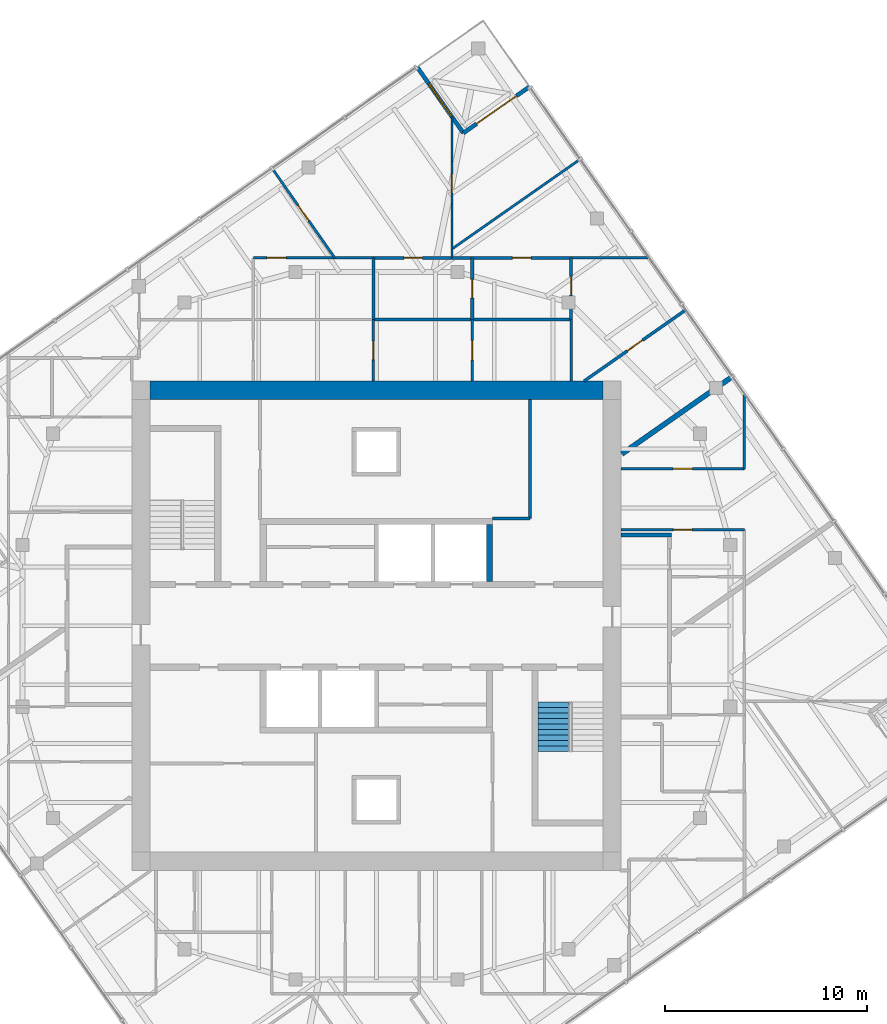
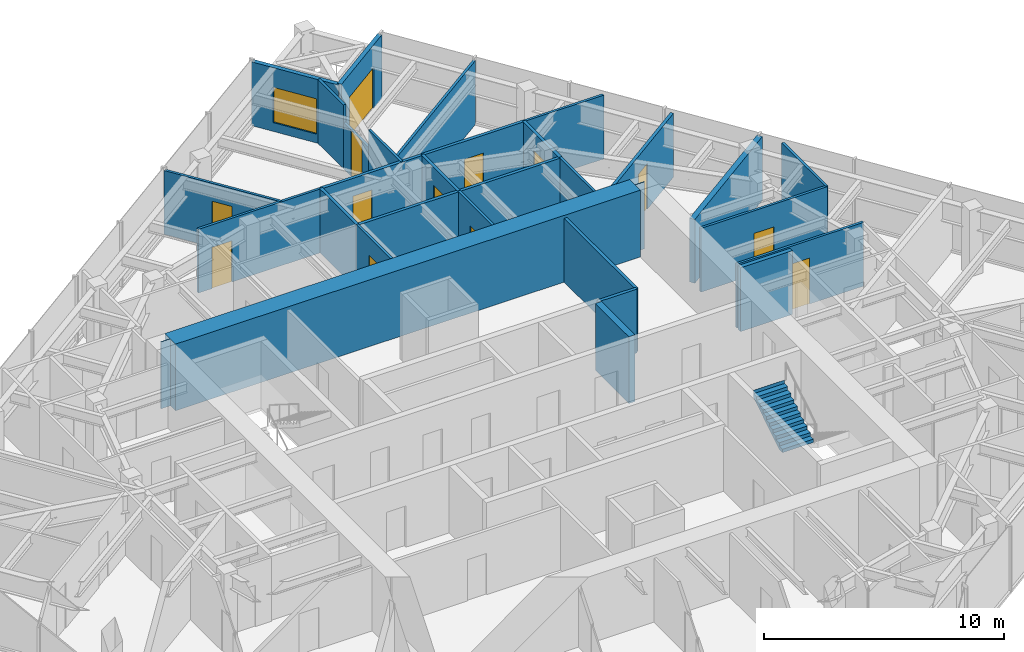
# One storey, part 11 of 13: 27 walls, 13 doors, 1 stair flight, 1 window, 14 openings, 1 element without a shape of its own.
"""IFC4 building model written with IfcOpenShell, lengths in metres."""

from ifc_helpers import new_model, si_unit, direction, frame, frame_2d, origin, place, context, subcontext, project, spatial, polyline, rectangle, outline, extrude, material, layer, layer_set, type_object, element, fill, aggregate, save


model = new_model("IFC4")

# Units and contexts
model_context = context("Model", 3, precision=1e-05, world=origin(), true_north=direction((0.0, 1.0)))
body_context = subcontext(model_context, "Body", "Model", "MODEL_VIEW")
ifc_project = project(units=[si_unit("LENGTHUNIT", "METRE"), si_unit("AREAUNIT", "SQUARE_METRE"), si_unit("VOLUMEUNIT", "CUBIC_METRE"), si_unit("PLANEANGLEUNIT", "RADIAN"), si_unit("MASSUNIT", "GRAM", prefix="KILO")], contexts=[model_context])

# Site, building, storey
site_placement = place(None, origin())
site = spatial("IfcSite", under=ifc_project, at=site_placement, CompositionType="ELEMENT")
building_placement = place(site_placement, origin())
building = spatial("IfcBuilding", under=site, at=building_placement, Name="Torsade Residences", CompositionType="ELEMENT")
storey_placement = place(building_placement, frame((0.0, 0.0, 260.800048828125)))
storey = spatial("IfcBuildingStorey", under=building, at=storey_placement, Name="L72", CompositionType="ELEMENT", Elevation=260.800048828125)

# Walls
ifc_material_1 = material(Name="Concrete 80 MPa", Category="concrete")
ifc_layer_1 = layer(ifc_material_1, 0.300048828125)
ifc_layer_set_1 = layer_set([ifc_layer_1], Name="Concrete 80 MPa")
wall_type_1 = type_object("IfcWallType", Name="CORE INTERNAL WALL 300", PredefinedType="SHEAR", material=ifc_layer_set_1)
wall_1_placement = place(storey_placement, frame((45.60009765625, 32.199951171875, 0.0), z_axis=(0.0, 0.0, 1.0), x_axis=(0.0, 1.0, 0.0)))
element("IfcWall", 1, at=wall_1_placement, inside=storey, type_object=wall_type_1, Name="Core wall DN4 L72", PredefinedType="SHEAR", context=body_context, shape_type="SweptSolid", body=[
    extrude(rectangle(XDim=2.800048828125, YDim=0.300048828125, at=frame_2d((1.39990234375, 0.0))), origin(), (0.0, 0.0, 1.0), 3.39990234375),
])
ifc_material_2 = material(Name="Concrete 80 MPa", Category="concrete")
ifc_layer_2 = layer(ifc_material_2, 0.89990234375)
ifc_layer_set_2 = layer_set([ifc_layer_2], Name="Concrete 80 MPa")
wall_type_2 = type_object("IfcWallType", Name="CORE WALL 900", PredefinedType="SHEAR", material=ifc_layer_set_2)
wall_2_placement = place(storey_placement, frame((28.800048828125, 41.64990234375, 0.0), z_axis=(0.0, 0.0, 1.0), x_axis=(1.0, 0.0, 0.0)))
element("IfcWall", 2, at=wall_2_placement, inside=storey, type_object=wall_type_2, Name="Core wall N L72", PredefinedType="SHEAR", context=body_context, shape_type="SweptSolid", body=[
    extrude(outline(polyline([(0.0, -0.449951171875), (22.39990234375, -0.449951171875), (22.39990234375, -0.02490234375), (22.849853515625, -0.02490234375), (22.849853515625, 0.02490234375), (22.39990234375, 0.02490234375), (22.39990234375, 0.449951171875), (0.0, 0.449951171875), (0.0, 0.02490234375), (-0.449951171875, 0.02490234375), (-0.449951171875, -0.02490234375), (0.0, -0.02490234375), (0.0, -0.449951171875)])), origin(), (0.0, 0.0, 1.0), 3.39990234375),
])
ifc_material_3 = material(Name="Plasterboard on steel stud", Category="steel")
ifc_layer_3 = layer(ifc_material_3, 0.199951171875)
ifc_layer_set_3 = layer_set([ifc_layer_3], Name="Plasterboard on steel stud")
wall_type_3 = type_object("IfcWallType", Name="CORRIDOR WALL 200", PredefinedType="PARTITIONING", material=ifc_layer_set_3)
wall_3_placement = place(storey_placement, frame((52.10009765625, 34.5, 0.0), z_axis=(0.0, 0.0, 1.0), x_axis=(1.0, 0.0, 0.0)))
element("IfcWall", 3, at=wall_3_placement, inside=storey, type_object=wall_type_3, Name="Corridor wall L72", PredefinedType="PARTITIONING", context=body_context, shape_type="SweptSolid", body=[
    extrude(rectangle(XDim=2.5, YDim=0.199951171875, at=frame_2d((1.25, 0.0))), origin(), (0.0, 0.0, 1.0), 3.25),
])

# Wall, opening, door
ifc_material_4 = material(Name="Plasterboard on steel stud", Category="steel")
ifc_layer_4 = layer(ifc_material_4, 0.1201171875)
ifc_layer_set_4 = layer_set([ifc_layer_4], Name="Plasterboard on steel stud")
wall_type_4 = type_object("IfcWallType", Name="PARTITION 120", PredefinedType="PARTITIONING", material=ifc_layer_set_4)
wall_4_placement = place(storey_placement, frame((52.10009765625, 34.760009765625, 0.0), z_axis=(0.0, 0.0, 1.0), x_axis=(1.0, 0.0, 0.0)))
wall_4 = element("IfcWall", 4, at=wall_4_placement, inside=storey, type_object=wall_type_4, Name="Partition L72", PredefinedType="PARTITIONING", context=body_context, shape_type="SweptSolid", body=[
    extrude(rectangle(XDim=6.099853515625, YDim=0.1201171875, at=frame_2d((3.0498046875, 0.0))), origin(), (0.0, 0.0, 1.0), 3.25),
])
opening_1_placement = place(wall_4_placement, frame((2.590087890625, 0.0, 0.0)))
opening_1 = element("IfcOpeningElement", 5, at=opening_1_placement, cuts=wall_4, Name="Opening D02", PredefinedType="OPENING", context=body_context, shape_type="SweptSolid", body=[
    extrude(rectangle(XDim=0.919921875, YDim=2.340087890625, at=frame_2d((0.4599609375, 1.169921875))), frame((0.0, 0.070068359375, 0.0), z_axis=(0.0, -1.0, 0.0), x_axis=(1.0, 0.0, 0.0)), (0.0, 0.0, 1.0), 0.14013671875),
])
ifc_material_5 = material(Name="Hollow-core timber door", Category="wood")
door_type_1 = type_object("IfcDoorType", Name="INTERNAL DOOR 920x2340", OperationType="NOTDEFINED", PredefinedType="DOOR", material=ifc_material_5)
door_1_placement = place(opening_1_placement, origin())
door_1 = element("IfcDoor", 6, at=door_1_placement, inside=storey, type_object=door_type_1, Name="Door Kitchen and dining to Studio living and sleeping", OperationType="SINGLE_SWING_LEFT", OverallHeight=2.340087890625, OverallWidth=0.919921875, PredefinedType="DOOR", context=body_context, shape_type="SweptSolid", body=[
    extrude(rectangle(XDim=0.919921875, YDim=2.340087890625, at=frame_2d((0.4599609375, 1.169921875))), frame((0.0, 0.02490234375, 0.0), z_axis=(0.0, -1.0, 0.0), x_axis=(1.0, 0.0, 0.0)), (0.0, 0.0, 1.0), 0.050048828125),
])
fill(opening_1, door_1)

# Wall
wall_5_placement = place(storey_placement, frame((58.199951171875, 41.422119140625, 0.0), z_axis=(0.0, 0.0, 1.0), x_axis=(0.0, -1.0, 0.0)))
element("IfcWall", 7, at=wall_5_placement, inside=storey, type_object=wall_type_4, Name="Partition L72", PredefinedType="PARTITIONING", context=body_context, shape_type="SweptSolid", body=[
    extrude(rectangle(XDim=3.65380859375, YDim=0.1201171875, at=frame_2d((1.826904296875, 0.0))), origin(), (0.0, 0.0, 1.0), 3.25),
])

# Wall, opening, door
wall_6_placement = place(storey_placement, frame((58.199951171875, 37.768310546875, 0.0), z_axis=(0.0, 0.0, 1.0), x_axis=(-1.0, 0.0, 0.0)))
wall_6 = element("IfcWall", 8, at=wall_6_placement, inside=storey, type_object=wall_type_4, Name="Partition L72", PredefinedType="PARTITIONING", context=body_context, shape_type="SweptSolid", body=[
    extrude(rectangle(XDim=6.099853515625, YDim=0.1201171875, at=frame_2d((3.0498046875, 0.0))), origin(), (0.0, 0.0, 1.0), 3.25),
])
opening_2_placement = place(wall_6_placement, frame((2.570068359375, 0.0, 0.0)))
opening_2 = element("IfcOpeningElement", 9, at=opening_2_placement, cuts=wall_6, Name="Opening D05", PredefinedType="OPENING", context=body_context, shape_type="SweptSolid", body=[
    extrude(rectangle(XDim=0.9599609375, YDim=2.10009765625, at=frame_2d((0.47998046875, 1.050048828125))), frame((0.0, 0.070068359375, 0.0), z_axis=(0.0, -1.0, 0.0), x_axis=(1.0, 0.0, 0.0)), (0.0, 0.0, 1.0), 0.14013671875),
])
ifc_material_6 = material(Name="Hollow-core timber door in a steel cavity frame", Category="steel")
door_type_2 = type_object("IfcDoorType", Name="BATHROOM CAVITY SLIDING DOOR 960", OperationType="SLIDING_TO_LEFT", PredefinedType="DOOR", material=ifc_material_6)
door_2_placement = place(opening_2_placement, origin())
door_2 = element("IfcDoor", 10, at=door_2_placement, inside=storey, type_object=door_type_2, Name="Door Studio living and sleeping to Ensuite", OperationType="SLIDING_TO_LEFT", OverallHeight=2.10009765625, OverallWidth=0.9599609375, PredefinedType="DOOR", context=body_context, shape_type="SweptSolid", body=[
    extrude(rectangle(XDim=0.9599609375, YDim=2.10009765625, at=frame_2d((0.47998046875, 1.050048828125))), frame((0.0, 0.02490234375, 0.0), z_axis=(0.0, -1.0, 0.0), x_axis=(1.0, 0.0, 0.0)), (0.0, 0.0, 1.0), 0.050048828125),
])
fill(opening_2, door_2)

wall_7_placement = place(storey_placement, frame((33.906982421875, 48.199951171875, 0.0), z_axis=(0.0, 0.0, 1.0), x_axis=(1.0, 0.0, 0.0)))
wall_7 = element("IfcWall", 11, at=wall_7_placement, inside=storey, type_object=wall_type_4, Name="Partition L72", PredefinedType="PARTITIONING", context=body_context, shape_type="SweptSolid", body=[
    extrude(rectangle(XDim=5.93896484375, YDim=0.1201171875, at=frame_2d((2.969482421875, 0.0))), origin(), (0.0, 0.0, 1.0), 3.25),
])
opening_3_placement = place(wall_7_placement, frame((0.666015625, 0.0, 0.0)))
opening_3 = element("IfcOpeningElement", 12, at=opening_3_placement, cuts=wall_7, Name="Opening D05", PredefinedType="OPENING", context=body_context, shape_type="SweptSolid", body=[
    extrude(rectangle(XDim=0.9599609375, YDim=2.10009765625, at=frame_2d((0.47998046875, 1.050048828125))), frame((0.0, 0.070068359375, 0.0), z_axis=(0.0, -1.0, 0.0), x_axis=(1.0, 0.0, 0.0)), (0.0, 0.0, 1.0), 0.14013671875),
])
door_3_placement = place(opening_3_placement, origin())
door_3 = element("IfcDoor", 13, at=door_3_placement, inside=storey, type_object=door_type_2, Name="Door Family room to Ensuite", OperationType="SLIDING_TO_LEFT", OverallHeight=2.10009765625, OverallWidth=0.9599609375, PredefinedType="DOOR", context=body_context, shape_type="SweptSolid", body=[
    extrude(rectangle(XDim=0.9599609375, YDim=2.10009765625, at=frame_2d((0.47998046875, 1.050048828125))), frame((0.0, 0.02490234375, 0.0), z_axis=(0.0, -1.0, 0.0), x_axis=(1.0, 0.0, 0.0)), (0.0, 0.0, 1.0), 0.050048828125),
])
fill(opening_3, door_3)

wall_8_placement = place(storey_placement, frame((39.845947265625, 45.14990234375, 0.0), z_axis=(0.0, 0.0, 1.0), x_axis=(0.0, -1.0, 0.0)))
wall_8 = element("IfcWall", 14, at=wall_8_placement, inside=storey, type_object=wall_type_4, Name="Partition L72", PredefinedType="PARTITIONING", context=body_context, shape_type="SweptSolid", body=[
    extrude(rectangle(XDim=3.0498046875, YDim=0.1201171875, at=frame_2d((1.52490234375, 0.0))), origin(), (0.0, 0.0, 1.0), 3.25),
])
opening_4_placement = place(wall_8_placement, frame((1.06494140625, 0.0, 0.0)))
opening_4 = element("IfcOpeningElement", 15, at=opening_4_placement, cuts=wall_8, Name="Opening D02", PredefinedType="OPENING", context=body_context, shape_type="SweptSolid", body=[
    extrude(rectangle(XDim=0.919921875, YDim=2.340087890625, at=frame_2d((0.4599609375, 1.169921875))), frame((0.0, 0.070068359375, 0.0), z_axis=(0.0, -1.0, 0.0), x_axis=(1.0, 0.0, 0.0)), (0.0, 0.0, 1.0), 0.14013671875),
])
door_4_placement = place(opening_4_placement, origin())
door_4 = element("IfcDoor", 16, at=door_4_placement, inside=storey, type_object=door_type_1, Name="Door Dressing room 2 to Walk-in robe", OperationType="SINGLE_SWING_LEFT", OverallHeight=2.340087890625, OverallWidth=0.919921875, PredefinedType="DOOR", context=body_context, shape_type="SweptSolid", body=[
    extrude(rectangle(XDim=0.919921875, YDim=2.340087890625, at=frame_2d((0.4599609375, 1.169921875))), frame((0.0, 0.02490234375, 0.0), z_axis=(0.0, -1.0, 0.0), x_axis=(1.0, 0.0, 0.0)), (0.0, 0.0, 1.0), 0.050048828125),
])
fill(opening_4, door_4)

wall_9_placement = place(storey_placement, frame((44.73779296875, 42.10009765625, 0.0), z_axis=(0.0, 0.0, 1.0), x_axis=(0.0, 1.0, 0.0)))
wall_9 = element("IfcWall", 17, at=wall_9_placement, inside=storey, type_object=wall_type_4, Name="Partition L72", PredefinedType="PARTITIONING", context=body_context, shape_type="SweptSolid", body=[
    extrude(rectangle(XDim=3.0498046875, YDim=0.1201171875, at=frame_2d((1.52490234375, 0.0))), origin(), (0.0, 0.0, 1.0), 3.25),
])
opening_5_placement = place(wall_9_placement, frame((1.044921875, 0.0, 0.0)))
opening_5 = element("IfcOpeningElement", 18, at=opening_5_placement, cuts=wall_9, Name="Opening D05", PredefinedType="OPENING", context=body_context, shape_type="SweptSolid", body=[
    extrude(rectangle(XDim=0.9599609375, YDim=2.10009765625, at=frame_2d((0.47998046875, 1.050048828125))), frame((0.0, 0.070068359375, 0.0), z_axis=(0.0, -1.0, 0.0), x_axis=(1.0, 0.0, 0.0)), (0.0, 0.0, 1.0), 0.14013671875),
])
door_5_placement = place(opening_5_placement, origin())
door_5 = element("IfcDoor", 19, at=door_5_placement, inside=storey, type_object=door_type_2, Name="Door Walk-in robe to Laundry", OperationType="SLIDING_TO_LEFT", OverallHeight=2.10009765625, OverallWidth=0.9599609375, PredefinedType="DOOR", context=body_context, shape_type="SweptSolid", body=[
    extrude(rectangle(XDim=0.9599609375, YDim=2.10009765625, at=frame_2d((0.47998046875, 1.050048828125))), frame((0.0, 0.02490234375, 0.0), z_axis=(0.0, -1.0, 0.0), x_axis=(1.0, 0.0, 0.0)), (0.0, 0.0, 1.0), 0.050048828125),
])
fill(opening_5, door_5)

# Walls
wall_10_placement = place(storey_placement, frame((49.6298828125, 45.14990234375, 0.0), z_axis=(0.0, 0.0, 1.0), x_axis=(0.0, -1.0, 0.0)))
element("IfcWall", 20, at=wall_10_placement, inside=storey, type_object=wall_type_4, Name="Partition L72", PredefinedType="PARTITIONING", context=body_context, shape_type="SweptSolid", body=[
    extrude(rectangle(XDim=3.0498046875, YDim=0.1201171875, at=frame_2d((1.52490234375, 0.0))), origin(), (0.0, 0.0, 1.0), 3.25),
])
wall_11_placement = place(storey_placement, frame((49.6298828125, 48.199951171875, 0.0), z_axis=(0.0, 0.0, 1.0), x_axis=(1.0, 0.0, 0.0)))
element("IfcWall", 21, at=wall_11_placement, inside=storey, type_object=wall_type_4, Name="Partition L72", PredefinedType="PARTITIONING", context=body_context, shape_type="SweptSolid", body=[
    extrude(rectangle(XDim=3.82421875, YDim=0.1201171875, at=frame_2d((1.912109375, 0.0))), origin(), (0.0, 0.0, 1.0), 3.25),
])
wall_12_placement = place(storey_placement, frame((43.735107421875, 55.106201171875, 0.0), z_axis=(0.0, 0.0, 1.0), x_axis=(0.0, -1.0, 0.0)))
element("IfcWall", 22, at=wall_12_placement, inside=storey, type_object=wall_type_4, Name="Partition L72", PredefinedType="PARTITIONING", context=body_context, shape_type="SweptSolid", body=[
    extrude(rectangle(XDim=2.144287109375, YDim=0.1201171875, at=frame_2d((1.072265625, 0.0))), origin(), (0.0, 0.0, 1.0), 3.25),
])

# Wall, opening, door
wall_13_placement = place(storey_placement, frame((43.735107421875, 52.9619140625, 0.0), z_axis=(0.0, 0.0, 1.0), x_axis=(0.0, -1.0, 0.0)))
wall_13 = element("IfcWall", 23, at=wall_13_placement, inside=storey, type_object=wall_type_4, Name="Partition L72", PredefinedType="PARTITIONING", context=body_context, shape_type="SweptSolid", body=[
    extrude(rectangle(XDim=2.092041015625, YDim=0.1201171875, at=frame_2d((1.0458984375, 0.0))), origin(), (0.0, 0.0, 1.0), 2.349853515625),
])
opening_6_placement = place(wall_13_placement, frame((0.62548828125, 0.0, 0.0)))
opening_6 = element("IfcOpeningElement", 24, at=opening_6_placement, cuts=wall_13, Name="Opening D02", PredefinedType="OPENING", context=body_context, shape_type="SweptSolid", body=[
    extrude(rectangle(XDim=0.919921875, YDim=2.340087890625, at=frame_2d((0.4599609375, 1.169921875))), frame((0.0, 0.070068359375, 0.0), z_axis=(0.0, -1.0, 0.0), x_axis=(1.0, 0.0, 0.0)), (0.0, 0.0, 1.0), 0.14013671875),
])
door_6_placement = place(opening_6_placement, origin())
door_6 = element("IfcDoor", 25, at=door_6_placement, inside=storey, type_object=door_type_1, Name="Door Living room to Bedroom 3", OperationType="SINGLE_SWING_RIGHT", OverallHeight=2.340087890625, OverallWidth=0.919921875, PredefinedType="DOOR", context=body_context, shape_type="SweptSolid", body=[
    extrude(rectangle(XDim=0.919921875, YDim=2.340087890625, at=frame_2d((0.4599609375, 1.169921875))), frame((0.0, 0.02490234375, 0.0), z_axis=(0.0, -1.0, 0.0), x_axis=(1.0, 0.0, 0.0)), (0.0, 0.0, 1.0), 0.050048828125),
])
fill(opening_6, door_6)

# Wall
wall_14_placement = place(storey_placement, frame((43.735107421875, 50.869873046875, 0.0), z_axis=(0.0, 0.0, 1.0), x_axis=(0.0, -1.0, 0.0)))
element("IfcWall", 26, at=wall_14_placement, inside=storey, type_object=wall_type_4, Name="Partition L72", PredefinedType="PARTITIONING", context=body_context, shape_type="SweptSolid", body=[
    extrude(rectangle(XDim=2.669921875, YDim=0.1201171875, at=frame_2d((1.3349609375, 0.0))), origin(), (0.0, 0.0, 1.0), 3.25),
])

# Wall, opening, door
wall_15_placement = place(storey_placement, frame((37.93798828125, 48.199951171875, 0.0), z_axis=(0.0, 0.0, 1.0), x_axis=(-0.573560001964, 0.819163551525, 0.0)))
wall_15 = element("IfcWall", 27, at=wall_15_placement, inside=storey, type_object=wall_type_4, Name="Partition L72", PredefinedType="PARTITIONING", context=body_context, shape_type="SweptSolid", body=[
    extrude(rectangle(XDim=5.368896484375, YDim=0.1201171875, at=frame_2d((2.6845703125, 0.0))), origin(), (0.0, 0.0, 1.0), 3.25),
])
opening_7_placement = place(wall_15_placement, frame((2.244384765625, 0.0, 0.0)))
opening_7 = element("IfcOpeningElement", 28, at=opening_7_placement, cuts=wall_15, Name="Opening D02", PredefinedType="OPENING", context=body_context, shape_type="SweptSolid", body=[
    extrude(rectangle(XDim=0.919921875, YDim=2.340087890625, at=frame_2d((0.4599609375, 1.169921875))), frame((0.0, 0.070068359375, 0.0), z_axis=(0.0, -1.0, 0.0), x_axis=(1.0, 0.0, 0.0)), (0.0, 0.0, 1.0), 0.14013671875),
])
door_7_placement = place(opening_7_placement, origin())
door_7 = element("IfcDoor", 29, at=door_7_placement, inside=storey, type_object=door_type_1, Name="Door Family room to Living room", OperationType="SINGLE_SWING_LEFT", OverallHeight=2.340087890625, OverallWidth=0.919921875, PredefinedType="DOOR", context=body_context, shape_type="SweptSolid", body=[
    extrude(rectangle(XDim=0.919921875, YDim=2.340087890625, at=frame_2d((0.4599609375, 1.169921875))), frame((0.0, 0.02490234375, 0.0), z_axis=(0.0, -1.0, 0.0), x_axis=(1.0, 0.0, 0.0)), (0.0, 0.0, 1.0), 0.050048828125),
])
fill(opening_7, door_7)

# Walls
wall_16_placement = place(storey_placement, frame((50.05078125, 53.060302734375, 0.0), z_axis=(0.0, 0.0, 1.0), x_axis=(-0.819161994693, -0.573562225439, 0.0)))
element("IfcWall", 30, at=wall_16_placement, inside=storey, type_object=wall_type_4, Name="Partition L72", PredefinedType="PARTITIONING", context=body_context, shape_type="SweptSolid", body=[
    extrude(rectangle(XDim=7.7099609375, YDim=0.1201171875, at=frame_2d((3.85498046875, 0.0))), origin(), (0.0, 0.0, 1.0), 3.25),
])
ifc_material_7 = material(Name="Masonry-lined stud party wall", Category="masonry")
ifc_layer_5 = layer(ifc_material_7, 0.25)
ifc_layer_set_5 = layer_set([ifc_layer_5], Name="Masonry-lined stud party wall")
wall_type_5 = type_object("IfcWallType", Name="PARTY WALL 250", PredefinedType="PARTITIONING", material=ifc_layer_set_5)
wall_17_placement = place(storey_placement, frame((57.61181640625, 42.331787109375, 0.0), z_axis=(0.0, 0.0, 1.0), x_axis=(-0.819161528122, -0.573562891796, 0.0)))
element("IfcWall", 31, at=wall_17_placement, inside=storey, type_object=wall_type_5, Name="Party wall L72", PredefinedType="PARTITIONING", context=body_context, shape_type="SweptSolid", body=[
    extrude(rectangle(XDim=6.68115234375, YDim=0.25, at=frame_2d((3.340576171875, 0.0))), origin(), (0.0, 0.0, 1.0), 3.25),
])
ifc_material_8 = material(Name="Reinforced blockwork", Category="masonry")
ifc_layer_6 = layer(ifc_material_8, 0.14990234375)
ifc_layer_set_6 = layer_set([ifc_layer_6], Name="Reinforced blockwork")
wall_type_6 = type_object("IfcWallType", Name="SERVICE ROOM WALL 150", PredefinedType="SOLIDWALL", material=ifc_layer_set_6)
wall_18_placement = place(storey_placement, frame((47.60009765625, 41.199951171875, 0.0), z_axis=(0.0, 0.0, 1.0), x_axis=(0.0, -1.0, 0.0)))
element("IfcWall", 32, at=wall_18_placement, inside=storey, type_object=wall_type_6, Name="Service room wall L72", PredefinedType="SOLIDWALL", context=body_context, shape_type="SweptSolid", body=[
    extrude(rectangle(XDim=5.89990234375, YDim=0.14990234375, at=frame_2d((2.949951171875, 0.0))), origin(), (0.0, 0.0, 1.0), 3.25),
])
wall_19_placement = place(storey_placement, frame((47.60009765625, 35.300048828125, 0.0), z_axis=(0.0, 0.0, 1.0), x_axis=(-1.0, 0.0, 0.0)))
element("IfcWall", 33, at=wall_19_placement, inside=storey, type_object=wall_type_6, Name="Service room wall L72", PredefinedType="SOLIDWALL", context=body_context, shape_type="SweptSolid", body=[
    extrude(rectangle(XDim=1.85009765625, YDim=0.14990234375, at=frame_2d((0.925048828125, 0.0))), origin(), (0.0, 0.0, 1.0), 3.25),
])
wall_20_placement = place(storey_placement, frame((39.845947265625, 48.199951171875, 0.0), z_axis=(0.0, 0.0, 1.0), x_axis=(0.0, -1.0, 0.0)))
element("IfcWall", 34, at=wall_20_placement, inside=storey, type_object=wall_type_6, Name="Service room wall L72", PredefinedType="SOLIDWALL", context=body_context, shape_type="SweptSolid", body=[
    extrude(rectangle(XDim=3.050048828125, YDim=0.14990234375, at=frame_2d((1.52490234375, 0.0))), origin(), (0.0, 0.0, 1.0), 3.25),
])
wall_21_placement = place(storey_placement, frame((39.845947265625, 45.14990234375, 0.0), z_axis=(0.0, 0.0, 1.0), x_axis=(1.0, 0.0, 0.0)))
element("IfcWall", 35, at=wall_21_placement, inside=storey, type_object=wall_type_6, Name="Service room wall L72", PredefinedType="SOLIDWALL", context=body_context, shape_type="SweptSolid", body=[
    extrude(rectangle(XDim=9.783935546875, YDim=0.14990234375, at=frame_2d((4.89208984375, 0.0))), origin(), (0.0, 0.0, 1.0), 3.25),
])

# Wall, opening, door
wall_22_placement = place(storey_placement, frame((44.73779296875, 45.14990234375, 0.0), z_axis=(0.0, 0.0, 1.0), x_axis=(0.0, 1.0, 0.0)))
wall_22 = element("IfcWall", 36, at=wall_22_placement, inside=storey, type_object=wall_type_6, Name="Service room wall L72", PredefinedType="SOLIDWALL", context=body_context, shape_type="SweptSolid", body=[
    extrude(rectangle(XDim=3.050048828125, YDim=0.14990234375, at=frame_2d((1.52490234375, 0.0))), origin(), (0.0, 0.0, 1.0), 3.25),
])
opening_8_placement = place(wall_22_placement, frame((1.06494140625, 0.0, 0.0)))
opening_8 = element("IfcOpeningElement", 37, at=opening_8_placement, cuts=wall_22, Name="Opening D02", PredefinedType="OPENING", context=body_context, shape_type="SweptSolid", body=[
    extrude(rectangle(XDim=0.919921875, YDim=2.340087890625, at=frame_2d((0.4599609375, 1.169921875))), frame((0.0, 0.0849609375, 0.0), z_axis=(0.0, -1.0, 0.0), x_axis=(1.0, 0.0, 0.0)), (0.0, 0.0, 1.0), 0.169921875),
])
door_8_placement = place(opening_8_placement, origin())
door_8 = element("IfcDoor", 38, at=door_8_placement, inside=storey, type_object=door_type_1, Name="Door Store to Linen store 2", OperationType="SINGLE_SWING_RIGHT", OverallHeight=2.340087890625, OverallWidth=0.919921875, PredefinedType="DOOR", context=body_context, shape_type="SweptSolid", body=[
    extrude(rectangle(XDim=0.919921875, YDim=2.340087890625, at=frame_2d((0.4599609375, 1.169921875))), frame((0.0, 0.02490234375, 0.0), z_axis=(0.0, -1.0, 0.0), x_axis=(1.0, 0.0, 0.0)), (0.0, 0.0, 1.0), 0.050048828125),
])
fill(opening_8, door_8)

wall_23_placement = place(storey_placement, frame((49.6298828125, 48.199951171875, 0.0), z_axis=(0.0, 0.0, 1.0), x_axis=(0.0, -1.0, 0.0)))
wall_23 = element("IfcWall", 39, at=wall_23_placement, inside=storey, type_object=wall_type_6, Name="Service room wall L72", PredefinedType="SOLIDWALL", context=body_context, shape_type="SweptSolid", body=[
    extrude(rectangle(XDim=3.050048828125, YDim=0.14990234375, at=frame_2d((1.52490234375, 0.0))), origin(), (0.0, 0.0, 1.0), 3.25),
])
opening_9_placement = place(wall_23_placement, frame((0.9150390625, 0.0, 0.0)))
opening_9 = element("IfcOpeningElement", 40, at=opening_9_placement, cuts=wall_23, Name="Opening D02", PredefinedType="OPENING", context=body_context, shape_type="SweptSolid", body=[
    extrude(rectangle(XDim=0.919921875, YDim=2.340087890625, at=frame_2d((0.4599609375, 1.169921875))), frame((0.0, 0.0849609375, 0.0), z_axis=(0.0, -1.0, 0.0), x_axis=(1.0, 0.0, 0.0)), (0.0, 0.0, 1.0), 0.169921875),
])
door_9_placement = place(opening_9_placement, origin())
door_9 = element("IfcDoor", 41, at=door_9_placement, inside=storey, type_object=door_type_1, Name="Door Linen store 2 to Study", OperationType="SINGLE_SWING_RIGHT", OverallHeight=2.340087890625, OverallWidth=0.919921875, PredefinedType="DOOR", context=body_context, shape_type="SweptSolid", body=[
    extrude(rectangle(XDim=0.919921875, YDim=2.340087890625, at=frame_2d((0.4599609375, 1.169921875))), frame((0.0, 0.02490234375, 0.0), z_axis=(0.0, -1.0, 0.0), x_axis=(1.0, 0.0, 0.0)), (0.0, 0.0, 1.0), 0.050048828125),
])
fill(opening_9, door_9)

# Wall, openings, doors
wall_24_placement = place(storey_placement, frame((39.845947265625, 48.199951171875, 0.0), z_axis=(0.0, 0.0, 1.0), x_axis=(1.0, 0.0, 0.0)))
wall_24 = element("IfcWall", 42, at=wall_24_placement, inside=storey, type_object=wall_type_6, Name="Service room wall L72", PredefinedType="SOLIDWALL", context=body_context, shape_type="SweptSolid", body=[
    extrude(rectangle(XDim=9.783935546875, YDim=0.14990234375, at=frame_2d((4.89208984375, 0.0))), origin(), (0.0, 0.0, 1.0), 3.25),
])
opening_10_placement = place(wall_24_placement, frame((1.509765625, 0.0, 0.0)))
opening_10 = element("IfcOpeningElement", 43, at=opening_10_placement, cuts=wall_24, Name="Opening D02", PredefinedType="OPENING", context=body_context, shape_type="SweptSolid", body=[
    extrude(rectangle(XDim=0.919921875, YDim=2.340087890625, at=frame_2d((0.4599609375, 1.169921875))), frame((0.0, 0.0849609375, 0.0), z_axis=(0.0, -1.0, 0.0), x_axis=(1.0, 0.0, 0.0)), (0.0, 0.0, 1.0), 0.169921875),
])
opening_11_placement = place(wall_24_placement, frame((6.8779296875, 0.0, 0.0)))
opening_11 = element("IfcOpeningElement", 44, at=opening_11_placement, cuts=wall_24, Name="Opening D02", PredefinedType="OPENING", context=body_context, shape_type="SweptSolid", body=[
    extrude(rectangle(XDim=0.919921875, YDim=2.340087890625, at=frame_2d((0.4599609375, 1.169921875))), frame((0.0, 0.0849609375, 0.0), z_axis=(0.0, -1.0, 0.0), x_axis=(1.0, 0.0, 0.0)), (0.0, 0.0, 1.0), 0.169921875),
])
door_10_placement = place(opening_10_placement, origin())
door_10 = element("IfcDoor", 45, at=door_10_placement, inside=storey, type_object=door_type_1, Name="Door Living room to Store", OperationType="SINGLE_SWING_RIGHT", OverallHeight=2.340087890625, OverallWidth=0.919921875, PredefinedType="DOOR", context=body_context, shape_type="SweptSolid", body=[
    extrude(rectangle(XDim=0.919921875, YDim=2.340087890625, at=frame_2d((0.4599609375, 1.169921875))), frame((0.0, 0.02490234375, 0.0), z_axis=(0.0, -1.0, 0.0), x_axis=(1.0, 0.0, 0.0)), (0.0, 0.0, 1.0), 0.050048828125),
])
fill(opening_10, door_10)
door_11_placement = place(opening_11_placement, origin())
door_11 = element("IfcDoor", 46, at=door_11_placement, inside=storey, type_object=door_type_1, Name="Door Linen store 2 to Study 2", OperationType="SINGLE_SWING_RIGHT", OverallHeight=2.340087890625, OverallWidth=0.919921875, PredefinedType="DOOR", context=body_context, shape_type="SweptSolid", body=[
    extrude(rectangle(XDim=0.919921875, YDim=2.340087890625, at=frame_2d((0.4599609375, 1.169921875))), frame((0.0, 0.02490234375, 0.0), z_axis=(0.0, -1.0, 0.0), x_axis=(1.0, 0.0, 0.0)), (0.0, 0.0, 1.0), 0.050048828125),
])
fill(opening_11, door_11)

# Wall, opening, door
wall_25_placement = place(storey_placement, frame((55.27099609375, 45.60498046875, 0.0), z_axis=(0.0, 0.0, 1.0), x_axis=(-0.819158711158, -0.573566914958, 0.0)))
wall_25 = element("IfcWall", 47, at=wall_25_placement, inside=storey, type_object=wall_type_6, Name="Service room wall L72", PredefinedType="SOLIDWALL", context=body_context, shape_type="SweptSolid", body=[
    extrude(rectangle(XDim=6.110595703125, YDim=0.14990234375, at=frame_2d((3.05517578125, 0.0))), origin(), (0.0, 0.0, 1.0), 3.25),
])
opening_12_placement = place(wall_25_placement, frame((2.575439453125, 0.0, 0.0)))
opening_12 = element("IfcOpeningElement", 48, at=opening_12_placement, cuts=wall_25, Name="Opening D02", PredefinedType="OPENING", context=body_context, shape_type="SweptSolid", body=[
    extrude(rectangle(XDim=0.919921875, YDim=2.340087890625, at=frame_2d((0.4599609375, 1.169921875))), frame((0.0, 0.0849609375, 0.0), z_axis=(0.0, -1.0, 0.0), x_axis=(1.0, 0.0, 0.0)), (0.0, 0.0, 1.0), 0.169921875),
])
door_12_placement = place(opening_12_placement, origin())
door_12 = element("IfcDoor", 49, at=door_12_placement, inside=storey, type_object=door_type_1, Name="Door Study to Linen store 3", OperationType="SINGLE_SWING_RIGHT", OverallHeight=2.340087890625, OverallWidth=0.919921875, PredefinedType="DOOR", context=body_context, shape_type="SweptSolid", body=[
    extrude(rectangle(XDim=0.919921875, YDim=2.340087890625, at=frame_2d((0.4599609375, 1.169921875))), frame((0.0, 0.02490234375, 0.0), z_axis=(0.0, -1.0, 0.0), x_axis=(1.0, 0.0, 0.0)), (0.0, 0.0, 1.0), 0.050048828125),
])
fill(opening_12, door_12)

ifc_material_9 = material(Name="Stone-faced precast concrete 40 MPa panel", Category="masonry")
ifc_layer_7 = layer(ifc_material_9, 0.199951171875)
ifc_layer_set_7 = layer_set([ifc_layer_7], Name="Stone-faced precast concrete 40 MPa panel")
wall_type_7 = type_object("IfcWallType", Name="TERRACE WALL 200", PredefinedType="SOLIDWALL", material=ifc_layer_set_7)
wall_26_placement = place(storey_placement, frame((47.57421875, 56.6669921875, 0.0), z_axis=(0.0, 0.0, 1.0), x_axis=(-0.819165963305, -0.573556557423, 0.0)))
wall_26 = element("IfcWall", 50, at=wall_26_placement, inside=storey, type_object=wall_type_7, Name="Terrace wall L72 5", PredefinedType="SOLIDWALL", context=body_context, shape_type="SweptSolid", body=[
    extrude(rectangle(XDim=4.0, YDim=0.199951171875, at=frame_2d((2.0, 0.0))), origin(), (0.0, 0.0, 1.0), 3.25),
])
opening_13_placement = place(wall_26_placement, frame((0.800048828125, 0.0, 0.0)))
opening_13 = element("IfcOpeningElement", 51, at=opening_13_placement, cuts=wall_26, Name="Opening D10A", PredefinedType="OPENING", context=body_context, shape_type="SweptSolid", body=[
    extrude(rectangle(XDim=2.39990234375, YDim=2.10009765625, at=frame_2d((1.199951171875, 1.050048828125))), frame((0.0, 0.10986328125, 0.0), z_axis=(0.0, -1.0, 0.0), x_axis=(1.0, 0.0, 0.0)), (0.0, 0.0, 1.0), 0.219970703125),
])
ifc_material_10 = material(Name="Aluminium-framed glass door", Category="aluminium")
door_type_3 = type_object("IfcDoorType", Name="TERRACE SLIDING DOOR 2400x2100", OperationType="SLIDING_TO_LEFT", PredefinedType="DOOR", material=ifc_material_10)
door_13_placement = place(opening_13_placement, origin())
door_13 = element("IfcDoor", 52, at=door_13_placement, inside=storey, type_object=door_type_3, Name="Terrace door L72 5", OperationType="SLIDING_TO_LEFT", OverallHeight=2.10009765625, OverallWidth=2.39990234375, PredefinedType="DOOR", context=body_context, shape_type="SweptSolid", body=[
    extrude(rectangle(XDim=2.39990234375, YDim=2.10009765625, at=frame_2d((1.199951171875, 1.050048828125))), frame((0.0, 0.02490234375, 0.0), z_axis=(0.0, -1.0, 0.0), x_axis=(1.0, 0.0, 0.0)), (0.0, 0.0, 1.0), 0.050048828125),
])
fill(opening_13, door_13)

# Wall, opening, window
wall_27_placement = place(storey_placement, frame((44.297607421875, 54.372802734375, 0.0), z_axis=(0.0, 0.0, 1.0), x_axis=(-0.573597512525, 0.819137286189, 0.0)))
wall_27 = element("IfcWall", 53, at=wall_27_placement, inside=storey, type_object=wall_type_7, Name="Terrace wall L72 6", PredefinedType="SOLIDWALL", context=body_context, shape_type="SweptSolid", body=[
    extrude(rectangle(XDim=4.0, YDim=0.199951171875, at=frame_2d((2.0, 0.0))), origin(), (0.0, 0.0, 1.0), 3.25),
])
opening_14_placement = place(wall_27_placement, frame((1.0, 0.0, 0.449951171875)))
opening_14 = element("IfcOpeningElement", 54, at=opening_14_placement, cuts=wall_27, Name="Opening W1B", PredefinedType="OPENING", context=body_context, shape_type="SweptSolid", body=[
    extrude(rectangle(XDim=2.0, YDim=1.800048828125, at=frame_2d((1.0, 0.89990234375))), frame((0.0, 0.10986328125, 0.0), z_axis=(0.0, -1.0, 0.0), x_axis=(1.0, 0.0, 0.0)), (0.0, 0.0, 1.0), 0.219970703125),
])
ifc_material_11 = material(Name="Aluminium-framed glass window", Category="aluminium")
window_type = type_object("IfcWindowType", Name="TERRACE WINDOW 2000x1800", PartitioningType="SINGLE_PANEL", PredefinedType="WINDOW", material=ifc_material_11)
window_placement = place(opening_14_placement, origin())
window = element("IfcWindow", 55, at=window_placement, inside=storey, type_object=window_type, Name="Terrace window L72 6", OverallHeight=1.800048828125, OverallWidth=2.0, PartitioningType="SINGLE_PANEL", PredefinedType="WINDOW", context=body_context, shape_type="SweptSolid", body=[
    extrude(rectangle(XDim=2.0, YDim=1.800048828125, at=frame_2d((1.0, 0.89990234375))), frame((0.0, 0.030029296875, 0.0), z_axis=(0.0, -1.0, 0.0), x_axis=(1.0, 0.0, 0.0)), (0.0, 0.0, 1.0), 0.06005859375),
])
fill(opening_14, window)

# Stair, stair flight
ifc_material_12 = material(Name="Precast concrete 40 MPa", Category="concrete")
stair_type = type_object("IfcStairType", Name="HALF-TURN FIRE STAIR 1500x3400", PredefinedType="HALF_TURN_STAIR", material=ifc_material_12)
stair_placement = place(storey_placement, origin())
stair = element("IfcStair", 56, at=stair_placement, inside=storey, type_object=stair_type, Name="Stair ST2 L72", PredefinedType="HALF_TURN_STAIR")
ifc_material_13 = material(Name="Precast concrete 40 MPa", Category="concrete")
stair_flight_type = type_object("IfcStairFlightType", Name="PRECAST STAIR FLIGHT 1500x1700", PredefinedType="STRAIGHT", material=ifc_material_13)
stair_flight_placement = place(storey_placement, frame((48.75, 23.7900390625, 1.699951171875), z_axis=(0.0, 0.0, 1.0), x_axis=(0.0, 1.0, 0.0)))
stair_flight = element("IfcStairFlight", 57, at=stair_flight_placement, type_object=stair_flight_type, Name="ST2 flight 2", NumberOfRisers=10, NumberOfTreads=9, PredefinedType="STRAIGHT", RiserHeight=0.17, TreadLength=0.27, context=body_context, shape_type="SweptSolid", body=[
    extrude(outline(polyline([(0.0, 0.0), (0.0, 0.169921875), (0.27001953125, 0.169921875), (0.27001953125, 0.340087890625), (0.5400390625, 0.340087890625), (0.5400390625, 0.510009765625), (0.81005859375, 0.510009765625), (0.81005859375, 0.679931640625), (1.080078125, 0.679931640625), (1.080078125, 0.85009765625), (1.35009765625, 0.85009765625), (1.35009765625, 1.02001953125), (1.6201171875, 1.02001953125), (1.6201171875, 1.18994140625), (1.889892578125, 1.18994140625), (1.889892578125, 1.360107421875), (2.159912109375, 1.360107421875), (2.159912109375, 1.530029296875), (2.429931640625, 1.530029296875), (2.429931640625, 1.699951171875), (2.43994140625, 1.699951171875), (2.43994140625, 1.352783203125), (2.429931640625, 1.352783203125), (0.28125, 0.0), (0.0, 0.0)])), frame((0.0, 0.75, 0.0), z_axis=(0.0, -1.0, 0.0), x_axis=(1.0, 0.0, 0.0)), (0.0, 0.0, 1.0), 1.5),
])
aggregate(stair, [stair_flight])

save(model, "model.ifc")
